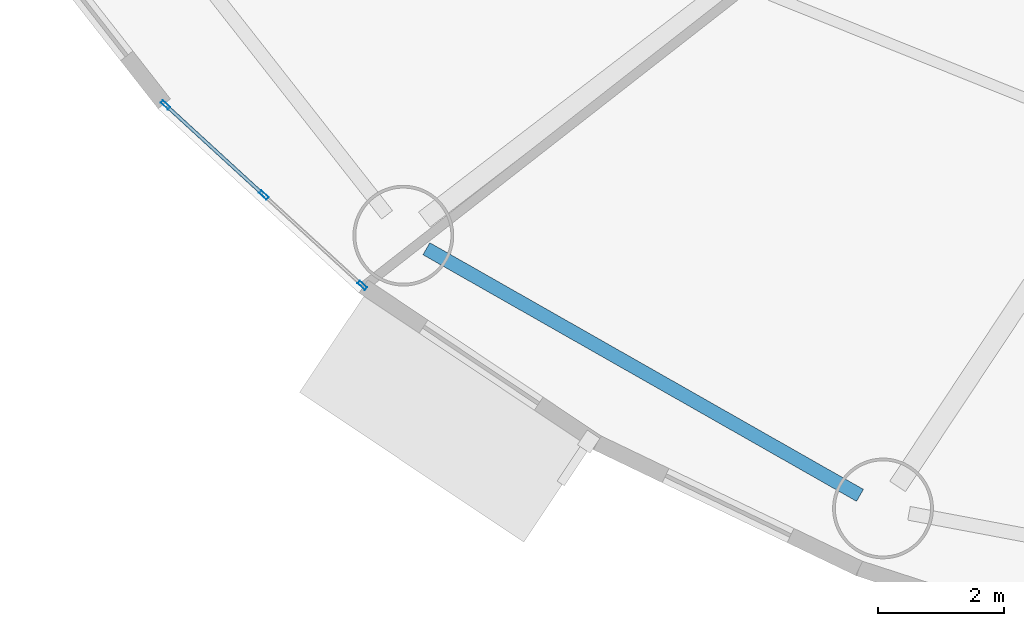
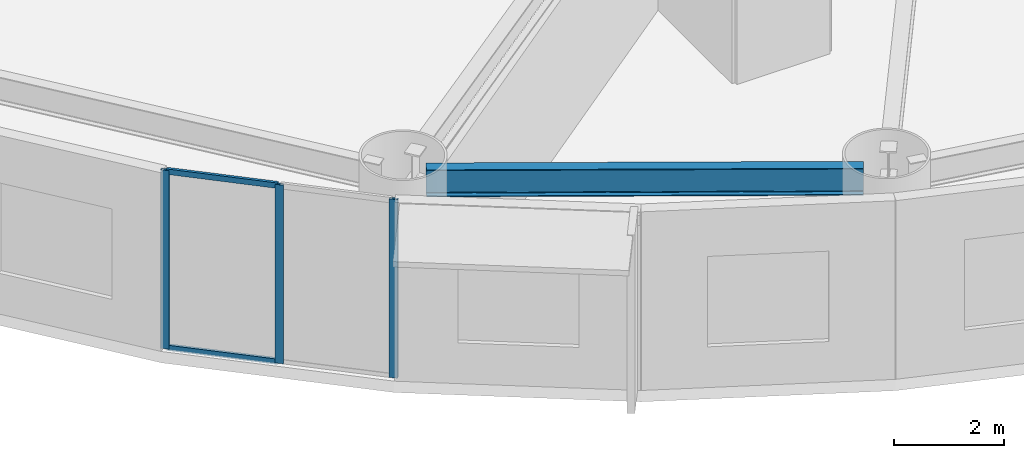
# One storey, part 4 of 29: 5 members, 1 beam, 1 element without a shape of its own.
"""IFC4 building model written with IfcOpenShell, lengths in metres."""

from ifc_helpers import new_model, si_unit, direction, frame, origin, origin_2d, place, context, subcontext, project, spatial, hollow_rectangle, i_section, extrude, source, transform, mapped, material, layer, layer_set, material_profile, profile_set, type_object, element, aggregate, save


model = new_model("IFC4")

# Units and contexts
model_context = context("Model", 3, precision=1e-05, world=origin(), true_north=direction((0.0, 1.0)))
body_context = subcontext(model_context, "Body", "Model", "MODEL_VIEW")
ifc_project = project(units=[si_unit("LENGTHUNIT", "METRE"), si_unit("AREAUNIT", "SQUARE_METRE"), si_unit("VOLUMEUNIT", "CUBIC_METRE"), si_unit("PLANEANGLEUNIT", "RADIAN"), si_unit("MASSUNIT", "GRAM", prefix="KILO")], contexts=[model_context])

# Site, building, storey
site_placement = place(None, origin())
site = spatial("IfcSite", under=ifc_project, at=site_placement, CompositionType="ELEMENT")
building_placement = place(site_placement, origin())
building = spatial("IfcBuilding", under=site, at=building_placement, Name="Linh Dai School and Residence Tower", CompositionType="ELEMENT")
storey_placement = place(building_placement, frame((0.0, 0.0, 45.0)))
storey = spatial("IfcBuildingStorey", under=building, at=storey_placement, Name="L10", CompositionType="ELEMENT", Elevation=45.0)

# Beam
ifc_material_1 = material(Name="Structural Steel S355JR", Category="steel")
ifc_material_profile_1 = material_profile(ifc_material_1, i_section(OverallWidth=0.219970703125, OverallDepth=0.60009765625, WebThickness=0.011962890625, FlangeThickness=0.01904296875, FilletRadius=0.02392578125, at=origin_2d()), Name="IPE 600")
ifc_profile_set_1 = profile_set([ifc_material_profile_1], Name="Structural Steel S355JR")
beam_type = type_object("IfcBeamType", Name="BM-RB60", PredefinedType="BEAM", material=ifc_profile_set_1)
beam_placement = place(storey_placement, frame((15.012451171875, 10.42333984375, 3.64990234375), z_axis=(0.869271416992, -0.494335112653, 0.0), x_axis=(0.494335112653, 0.869271416992, 0.0)))
element("IfcBeam", 1, at=beam_placement, inside=storey, type_object=beam_type, Name="L10 Perimeter Elliptical Ring Beam 11", PredefinedType="BEAM", context=body_context, shape_type="SweptSolid", body=[
    extrude(i_section(OverallWidth=0.219970703125, OverallDepth=0.60009765625, WebThickness=0.011962890625, FlangeThickness=0.01904296875, FilletRadius=0.02392578125, at=origin_2d()), origin(), (0.0, 0.0, 1.0), 7.91943359375),
])

# Curtain wall, members
ifc_material_2 = material(Name="Aluminium Anodised Curtain Wall", Category="aluminium")
ifc_layer = layer(ifc_material_2, 0.159912109375)
ifc_layer_set = layer_set([ifc_layer], Name="Aluminium Anodised Curtain Wall")
curtain_wall_type = type_object("IfcCurtainWallType", Name="CW-SYS-3", PredefinedType="USERDEFINED", material=ifc_layer_set)
curtain_wall_placement = place(storey_placement, origin())
curtain_wall = element("IfcCurtainWall", 2, at=curtain_wall_placement, inside=storey, type_object=curtain_wall_type, Name="L10 CW3 Curtain Wall 25", ObjectType="RIBBON CURTAIN WALL", PredefinedType="USERDEFINED")
ifc_material_3 = material(Name="Aluminium Alloy 6063-T6", Category="aluminium")
ifc_material_profile_2 = material_profile(ifc_material_3, hollow_rectangle(XDim=0.054931640625, YDim=0.1201171875, WallThickness=0.00390625, at=origin_2d()), Name="RHS 120x55x4")
ifc_profile_set_2 = profile_set([ifc_material_profile_2], Name="Aluminium Alloy 6063-T6")
member_type_1 = type_object("IfcMemberType", Name="CW-SYS-3-TRN", PredefinedType="USERDEFINED", material=ifc_profile_set_2)
shared_shape_1 = source(origin(), body_context, "Body", "SweptSolid", [
    extrude(hollow_rectangle(XDim=0.054931640625, YDim=0.1201171875, WallThickness=0.00390625, at=origin_2d()), origin(), (0.0, 0.0, 1.0), 2.064453125),
])
member_1_placement = place(storey_placement, frame((12.41259765625, 11.293212890625, 0.027587890625), z_axis=(-0.737129594686, 0.675751404466, 0.0), x_axis=(-0.675751404466, -0.737129594686, 0.0)))
member_1 = element("IfcMember", 3, at=member_1_placement, type_object=member_type_1, Name="CW3 transom 2.1", ObjectType="TRANSOM", PredefinedType="USERDEFINED", context=body_context, shape_type="MappedRepresentation", body=[
    mapped(shared_shape_1, transform((0.0, 0.0, 0.0), x_axis=(1.0, 0.0, 0.0), y_axis=(0.0, 1.0, 0.0), z_axis=(0.0, 0.0, 1.0), scale=1.0)),
])
member_2_placement = place(storey_placement, frame((12.41259765625, 11.293212890625, 3.922607421875), z_axis=(-0.737129594686, 0.675751404466, 0.0), x_axis=(-0.675751404466, -0.737129594686, 0.0)))
member_2 = element("IfcMember", 4, at=member_2_placement, type_object=member_type_1, Name="CW3 transom 2.2", ObjectType="TRANSOM", PredefinedType="USERDEFINED", context=body_context, shape_type="MappedRepresentation", body=[
    mapped(shared_shape_1, transform((0.0, 0.0, 0.0), x_axis=(1.0, 0.0, 0.0), y_axis=(0.0, 1.0, 0.0), z_axis=(0.0, 0.0, 1.0), scale=1.0)),
])
ifc_material_profile_3 = material_profile(ifc_material_3, hollow_rectangle(XDim=0.054931640625, YDim=0.159912109375, WallThickness=0.00390625, at=origin_2d()), Name="RHS 160x55x4")
ifc_profile_set_3 = profile_set([ifc_material_profile_3], Name="Aluminium Alloy 6063-T6")
member_type_2 = type_object("IfcMemberType", Name="CW-SYS-3-MUL", PredefinedType="MULLION", material=ifc_profile_set_3)
shared_shape_2 = source(origin(), body_context, "Body", "SweptSolid", [
    extrude(hollow_rectangle(XDim=0.054931640625, YDim=0.159912109375, WallThickness=0.00390625, at=origin_2d()), origin(), (0.0, 0.0, 1.0), 3.949951171875),
])
member_3_placement = place(storey_placement, frame((13.9951171875, 9.84228515625, 0.0), z_axis=(0.0, 0.0, 1.0), x_axis=(-0.675769237268, -0.737113246362, 0.0)))
member_3 = element("IfcMember", 5, at=member_3_placement, type_object=member_type_2, Name="CW3 mullion 1", PredefinedType="MULLION", context=body_context, shape_type="MappedRepresentation", body=[
    mapped(shared_shape_2, transform((0.0, 0.0, 0.0), x_axis=(1.0, 0.0, 0.0), y_axis=(0.0, 1.0, 0.0), z_axis=(0.0, 0.0, 1.0), scale=1.0)),
])
member_4_placement = place(storey_placement, frame((12.432861328125, 11.274658203125, 0.0), z_axis=(0.0, 0.0, 1.0), x_axis=(-0.675769237268, -0.737113246362, 0.0)))
member_4 = element("IfcMember", 6, at=member_4_placement, type_object=member_type_2, Name="CW3 mullion 2", PredefinedType="MULLION", context=body_context, shape_type="MappedRepresentation", body=[
    mapped(shared_shape_2, transform((0.0, 0.0, 0.0), x_axis=(1.0, 0.0, 0.0), y_axis=(0.0, 1.0, 0.0), z_axis=(0.0, 0.0, 1.0), scale=1.0)),
])
member_5_placement = place(storey_placement, frame((10.87060546875, 12.706787109375, 0.0), z_axis=(0.0, 0.0, 1.0), x_axis=(-0.675769237268, -0.737113246362, 0.0)))
member_5 = element("IfcMember", 7, at=member_5_placement, type_object=member_type_2, Name="CW3 mullion 3", PredefinedType="MULLION", context=body_context, shape_type="MappedRepresentation", body=[
    mapped(shared_shape_2, transform((0.0, 0.0, 0.0), x_axis=(1.0, 0.0, 0.0), y_axis=(0.0, 1.0, 0.0), z_axis=(0.0, 0.0, 1.0), scale=1.0)),
])
aggregate(curtain_wall, [member_3, member_4, member_5, member_1, member_2])

save(model, "model.ifc")
